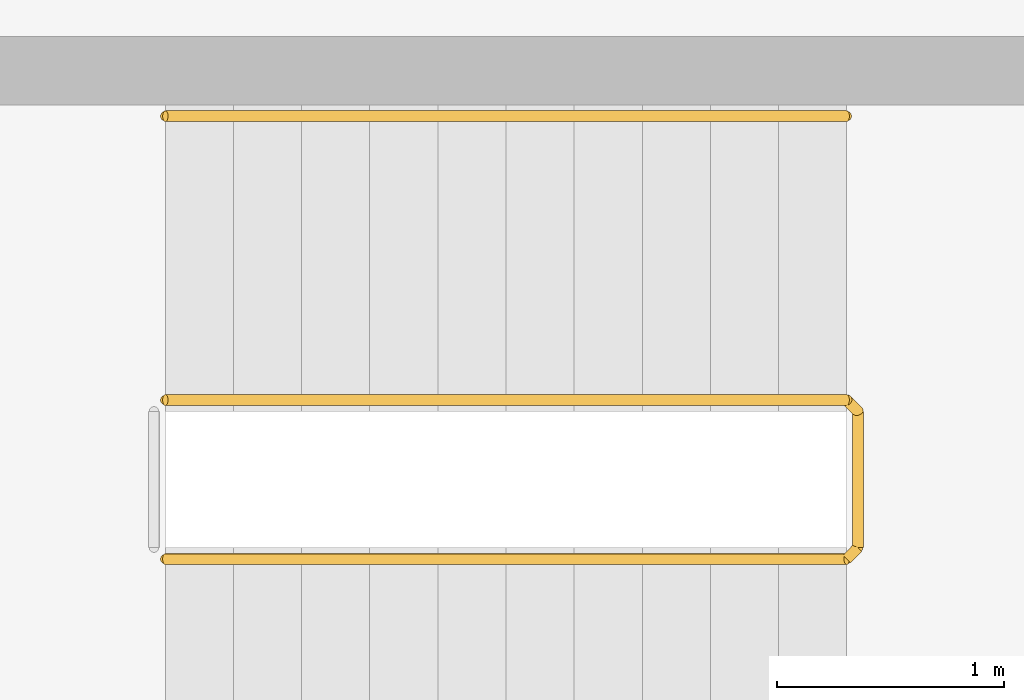
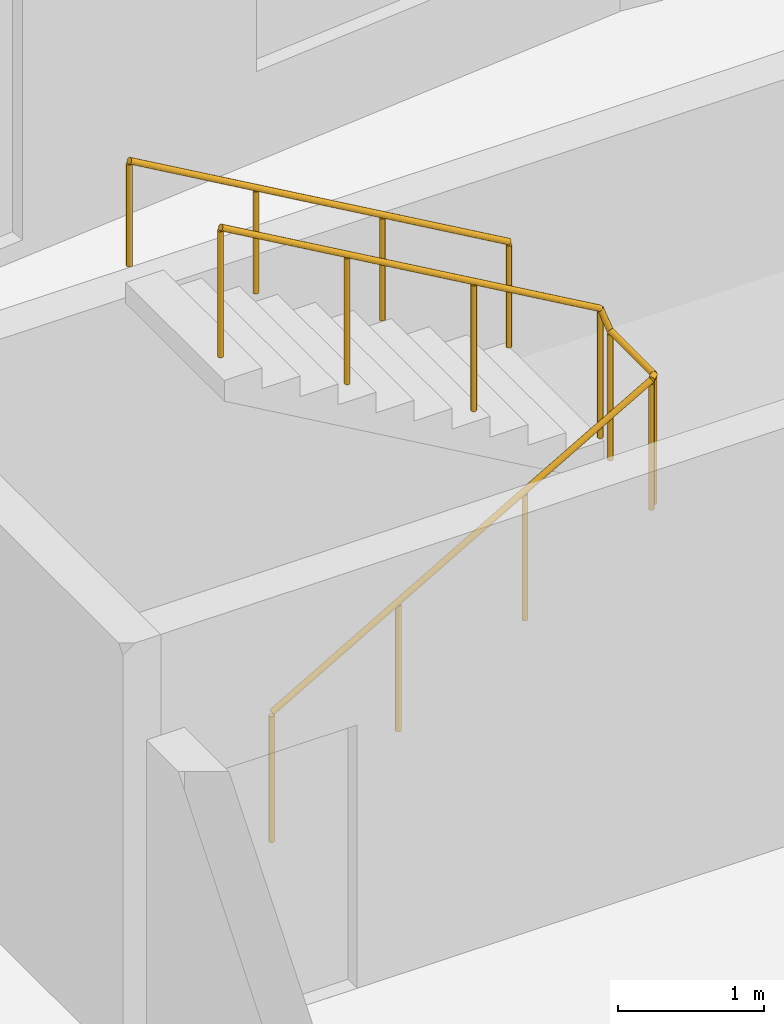
# One storey, part 10 of 10: 2 railings.
"""IFC4 building model written with IfcOpenShell, lengths in metres."""

from ifc_helpers import new_model, si_unit, direction, frame, origin, origin_2d, place, context, subcontext, project, spatial, circle, extrude, material, type_object, element, save


model = new_model("IFC4")

# Units and contexts
model_context = context("Model", 3, precision=1e-05, world=origin(), true_north=direction((0.0, 1.0)))
body_context = subcontext(model_context, "Body", "Model", "MODEL_VIEW")
ifc_project = project(units=[si_unit("LENGTHUNIT", "METRE"), si_unit("AREAUNIT", "SQUARE_METRE"), si_unit("VOLUMEUNIT", "CUBIC_METRE"), si_unit("PLANEANGLEUNIT", "RADIAN"), si_unit("MASSUNIT", "GRAM", prefix="KILO")], contexts=[model_context])

# Site, building, storey
site_placement = place(None, origin())
site = spatial("IfcSite", under=ifc_project, at=site_placement, CompositionType="ELEMENT")
building_placement = place(site_placement, origin())
building = spatial("IfcBuilding", under=site, at=building_placement, Name="Brondeck Convention Tower", CompositionType="ELEMENT")
storey_placement = place(building_placement, frame((0.0, 0.0, 181.39990234375)))
storey = spatial("IfcBuildingStorey", under=building, at=storey_placement, Name="L44", CompositionType="ELEMENT", Elevation=181.39990234375)

# Railings
ifc_material = material(Name="Steel S355", Category="steel")
railing_type_1 = type_object("IfcRailingType", Name="Stair guard 1100", PredefinedType="GUARDRAIL", material=ifc_material)
railing_1_placement = place(storey_placement, frame((37.85009765625, 55.449951171875, 0.1728515625)))
element("IfcRailing", 1, at=railing_1_placement, inside=storey, type_object=railing_type_1, Name="L44 ST-AE stair guard 1", PredefinedType="GUARDRAIL", context=body_context, shape_type="SweptSolid", body=[
    extrude(circle(Radius=0.02392578125, at=origin_2d()), frame((0.0, 0.0, 1.076171875), z_axis=(0.866619684472, 0.0, 0.498969260062), x_axis=(0.0, 1.0, 0.0)), (0.0, 0.0, 1.0), 3.461669921875),
    extrude(circle(Radius=0.02392578125, at=origin_2d()), frame((3.0, 0.0, 2.80322265625), z_axis=(0.705375805398, 0.708833529934, 0.0), x_axis=(-0.708833529934, 0.705375805398, 0.0)), (0.0, 0.0, 1.0), 0.070556640625),
    extrude(circle(Radius=0.02392578125, at=origin_2d()), frame((3.0498046875, 0.050048828125, 2.80322265625), z_axis=(0.0, 1.0, 0.0), x_axis=(-1.0, 0.0, 0.0)), (0.0, 0.0, 1.0), 0.60009765625),
    extrude(circle(Radius=0.02392578125, at=origin_2d()), frame((3.0498046875, 0.650146484375, 2.80322265625), z_axis=(-0.26715648603, 0.26715648603, 0.925880566782), x_axis=(-0.707106781187, -0.707106781187, 0.0)), (0.0, 0.0, 1.0), 0.1865234375),
    extrude(circle(Radius=0.02392578125, at=origin_2d()), frame((3.0, 0.699951171875, 2.97607421875), z_axis=(-0.866619684472, 0.0, 0.498969260062), x_axis=(0.0, -1.0, 0.0)), (0.0, 0.0, 1.0), 3.461669921875),
    extrude(circle(Radius=0.02099609375, at=origin_2d()), origin(), (0.0, 0.0, 1.0), 1.052001953125),
    extrude(circle(Radius=0.02099609375, at=origin_2d()), frame((1.0, 0.0, 0.57568359375)), (0.0, 0.0, 1.0), 1.052001953125),
    extrude(circle(Radius=0.02099609375, at=origin_2d()), frame((2.0, 0.0, 1.151611328125)), (0.0, 0.0, 1.0), 1.052001953125),
    extrude(circle(Radius=0.02099609375, at=origin_2d()), frame((3.0, 0.0, 1.727294921875)), (0.0, 0.0, 1.0), 1.052001953125),
    extrude(circle(Radius=0.02099609375, at=origin_2d()), frame((3.0498046875, 0.050048828125, 1.727294921875)), (0.0, 0.0, 1.0), 1.052001953125),
    extrude(circle(Radius=0.02099609375, at=origin_2d()), frame((3.0498046875, 0.650146484375, 1.727294921875)), (0.0, 0.0, 1.0), 1.052001953125),
    extrude(circle(Radius=0.02099609375, at=origin_2d()), frame((3.0, 0.699951171875, 1.89990234375)), (0.0, 0.0, 1.0), 1.052001953125),
    extrude(circle(Radius=0.02099609375, at=origin_2d()), frame((2.0, 0.699951171875, 2.4755859375)), (0.0, 0.0, 1.0), 1.052001953125),
    extrude(circle(Radius=0.02099609375, at=origin_2d()), frame((1.0, 0.699951171875, 3.051513671875)), (0.0, 0.0, 1.0), 1.052001953125),
    extrude(circle(Radius=0.02099609375, at=origin_2d()), frame((0.0, 0.699951171875, 3.627197265625)), (0.0, 0.0, 1.0), 1.052001953125),
])
railing_type_2 = type_object("IfcRailingType", Name="Stair handrail", PredefinedType="HANDRAIL", material=ifc_material)
railing_2_placement = place(storey_placement, frame((40.85009765625, 57.39990234375, 2.07275390625)))
element("IfcRailing", 2, at=railing_2_placement, inside=storey, type_object=railing_type_2, Name="L44 ST-AE stair handrail 2", PredefinedType="HANDRAIL", context=body_context, shape_type="SweptSolid", body=[
    extrude(circle(Radius=0.02392578125, at=origin_2d()), frame((0.0, 0.0, 0.8759765625), z_axis=(-0.866619684472, 0.0, 0.498969260062), x_axis=(0.0, -1.0, 0.0)), (0.0, 0.0, 1.0), 3.461669921875),
    extrude(circle(Radius=0.02099609375, at=origin_2d()), origin(), (0.0, 0.0, 1.0), 0.851806640625),
    extrude(circle(Radius=0.02099609375, at=origin_2d()), frame((-1.0, 0.0, 0.57568359375)), (0.0, 0.0, 1.0), 0.851806640625),
    extrude(circle(Radius=0.02099609375, at=origin_2d()), frame((-2.0, 0.0, 1.151611328125)), (0.0, 0.0, 1.0), 0.851806640625),
    extrude(circle(Radius=0.02099609375, at=origin_2d()), frame((-3.0, 0.0, 1.727294921875)), (0.0, 0.0, 1.0), 0.851806640625),
])

save(model, "model.ifc")
